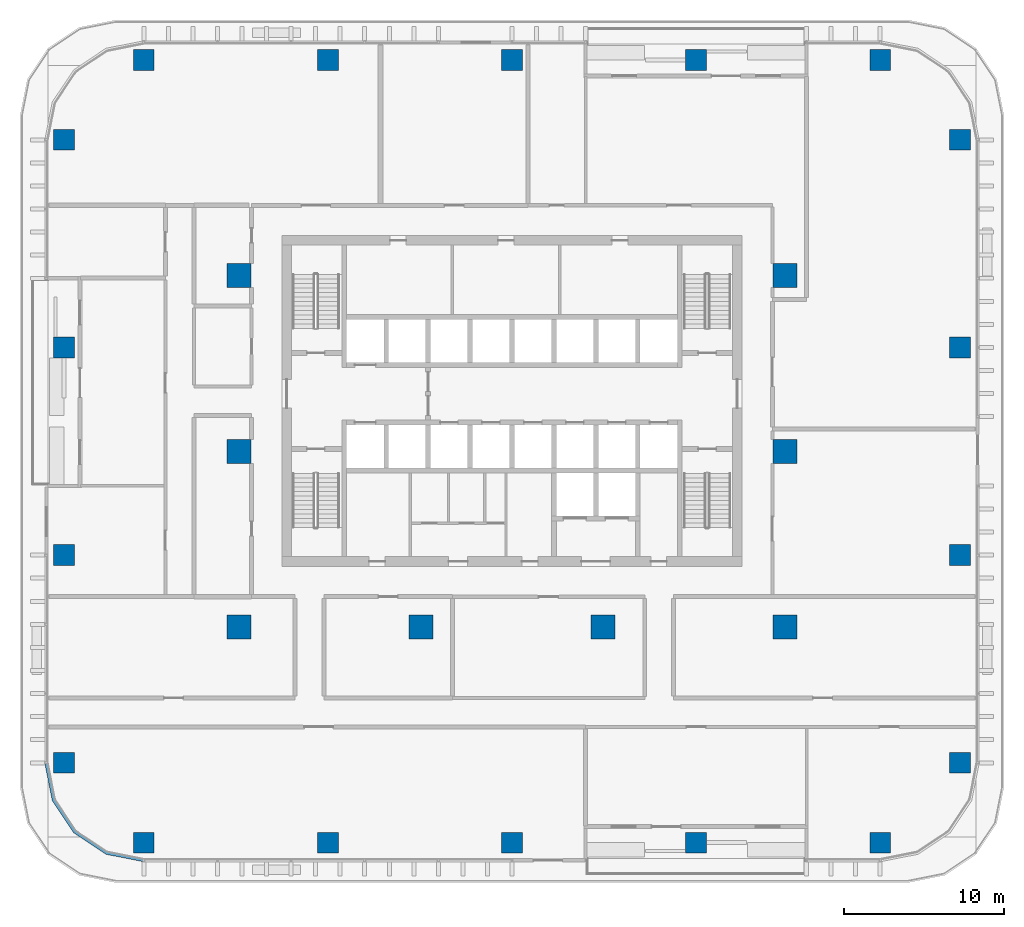
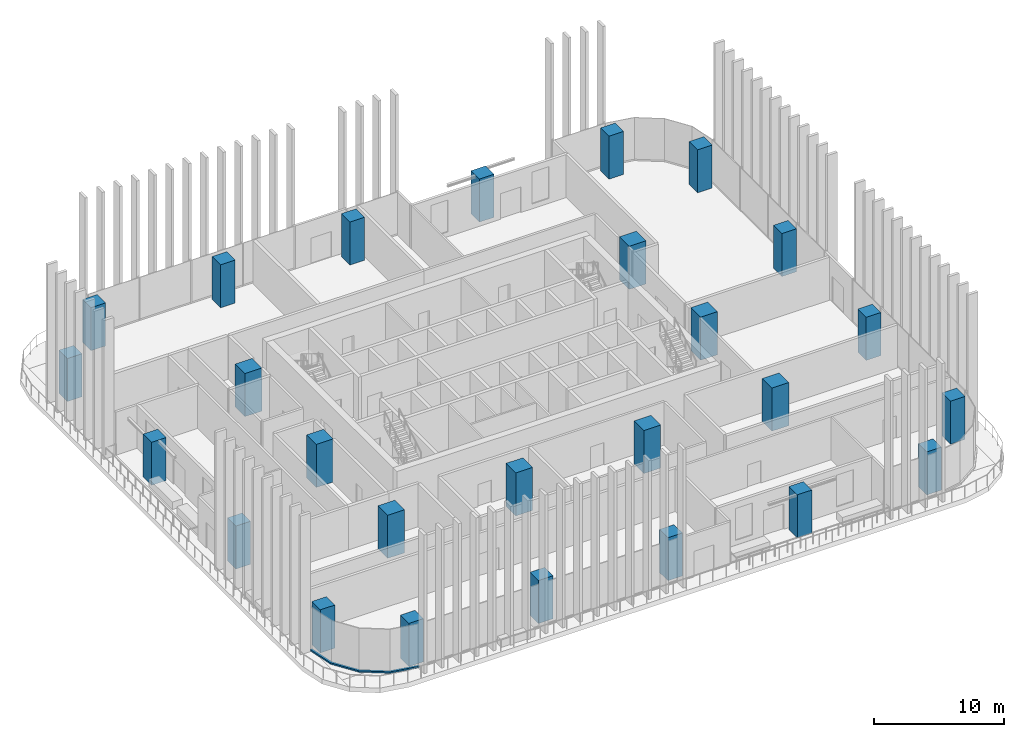
# One storey, part 1 of 18: 26 columns, 1 member, 1 element without a shape of its own.
"""IFC4 building model written with IfcOpenShell, lengths in metres."""

from ifc_helpers import new_model, si_unit, direction, frame, origin, origin_2d, place, context, subcontext, project, spatial, polyline, rectangle, outline, extrude, material, material_profile, profile_set, type_object, element, aggregate, save


model = new_model("IFC4")

# Units and contexts
model_context = context("Model", 3, precision=1e-05, world=origin(), true_north=direction((0.0, 1.0)))
body_context = subcontext(model_context, "Body", "Model", "MODEL_VIEW")
ifc_project = project(units=[si_unit("LENGTHUNIT", "METRE"), si_unit("AREAUNIT", "SQUARE_METRE"), si_unit("VOLUMEUNIT", "CUBIC_METRE"), si_unit("PLANEANGLEUNIT", "RADIAN"), si_unit("MASSUNIT", "GRAM", prefix="KILO")], contexts=[model_context])

# Site, building, storey
site_placement = place(None, origin())
site = spatial("IfcSite", under=ifc_project, at=site_placement, CompositionType="ELEMENT")
building_placement = place(site_placement, origin())
building = spatial("IfcBuilding", under=site, at=building_placement, Name="Mopane Tessera Tower", CompositionType="ELEMENT")
storey_placement = place(building_placement, frame((0.0, 0.0, 94.60009765625)))
storey = spatial("IfcBuildingStorey", under=building, at=storey_placement, Name="L18", CompositionType="ELEMENT", Elevation=94.60009765625)

# Columns
ifc_material_1 = material(Name="Concrete C60/75", Category="concrete")
ifc_material_profile_1 = material_profile(ifc_material_1, rectangle(XDim=1.5, YDim=1.5, at=origin_2d()))
ifc_profile_set_1 = profile_set([ifc_material_profile_1], Name="Concrete C60/75")
column_type_1 = type_object("IfcColumnType", Name="Interior column 1500 x 1500 C60/75", PredefinedType="COLUMN", material=ifc_profile_set_1)
for number, where, z_axis, x_axis, name in (
    (1, (-17.10009765625, -11.0, 0.0), (0.0, 0.0, 1.0), (1.0, 0.0, 0.0), "Interior column I1A L18"),
    (2, (-17.10009765625, 0.0, 0.0), (0.0, 0.0, 1.0), (1.0, 0.0, 0.0), "Interior column I1B L18"),
    (3, (-17.10009765625, 11.0, 0.0), (0.0, 0.0, 1.0), (1.0, 0.0, 0.0), "Interior column I1C L18"),
    (4, (-5.699951171875, -11.0, 0.0), (0.0, 0.0, 1.0), (1.0, 0.0, 0.0), "Interior column I2A L18"),
    (5, (5.699951171875, -11.0, 0.0), (0.0, 0.0, 1.0), (1.0, 0.0, 0.0), "Interior column I3A L18"),
    (6, (17.10009765625, -11.0, 0.0), (0.0, 0.0, 1.0), (1.0, 0.0, 0.0), "Interior column I4A L18"),
    (7, (17.10009765625, 0.0, 0.0), (0.0, 0.0, 1.0), (1.0, 0.0, 0.0), "Interior column I4B L18"),
    (8, (17.10009765625, 11.0, 0.0), (0.0, 0.0, 1.0), (1.0, 0.0, 0.0), "Interior column I4C L18"),
):
    element("IfcColumn", number, at=place(storey_placement, frame(where, z_axis=z_axis, x_axis=x_axis)), inside=storey, type_object=column_type_1, Name=name, PredefinedType="COLUMN", context=body_context, shape_type="SweptSolid", body=[
        extrude(rectangle(XDim=1.5, YDim=1.5, at=origin_2d()), origin(), (0.0, 0.0, 1.0), 4.0498046875),
    ])
ifc_material_2 = material(Name="Concrete C60/75", Category="concrete")
ifc_material_profile_2 = material_profile(ifc_material_2, rectangle(XDim=1.300048828125, YDim=1.300048828125, at=origin_2d()))
ifc_profile_set_2 = profile_set([ifc_material_profile_2], Name="Concrete C60/75")
column_type_2 = type_object("IfcColumnType", Name="Ring column 1300 x 1300 C60/75", PredefinedType="COLUMN", material=ifc_profile_set_2)
for number, where, z_axis, x_axis, name in (
    (9, (-23.050048828125, -24.5, 0.0), (0.0, 0.0, 1.0), (1.0, 0.0, 0.0), "Ring column S0 L18"),
    (10, (-11.52490234375, -24.5, 0.0), (0.0, 0.0, 1.0), (1.0, 0.0, 0.0), "Ring column S1 L18"),
    (11, (0.0, -24.5, 0.0), (0.0, 0.0, 1.0), (1.0, 0.0, 0.0), "Ring column S2 L18"),
    (12, (11.52490234375, -24.5, 0.0), (0.0, 0.0, 1.0), (1.0, 0.0, 0.0), "Ring column S3 L18"),
    (13, (23.050048828125, -24.5, 0.0), (0.0, 0.0, 1.0), (1.0, 0.0, 0.0), "Ring column S4 L18"),
    (14, (28.050048828125, -19.5, 0.0), (0.0, 0.0, 1.0), (1.0, 0.0, 0.0), "Ring column E0 L18"),
    (15, (28.050048828125, -6.5, 0.0), (0.0, 0.0, 1.0), (1.0, 0.0, 0.0), "Ring column E1 L18"),
    (16, (28.050048828125, 6.5, 0.0), (0.0, 0.0, 1.0), (1.0, 0.0, 0.0), "Ring column E2 L18"),
    (17, (28.050048828125, 19.5, 0.0), (0.0, 0.0, 1.0), (1.0, 0.0, 0.0), "Ring column E3 L18"),
    (18, (23.050048828125, 24.5, 0.0), (0.0, 0.0, 1.0), (1.0, 0.0, 0.0), "Ring column N0 L18"),
    (19, (11.52490234375, 24.5, 0.0), (0.0, 0.0, 1.0), (1.0, 0.0, 0.0), "Ring column N1 L18"),
    (20, (0.0, 24.5, 0.0), (0.0, 0.0, 1.0), (1.0, 0.0, 0.0), "Ring column N2 L18"),
    (21, (-11.52490234375, 24.5, 0.0), (0.0, 0.0, 1.0), (1.0, 0.0, 0.0), "Ring column N3 L18"),
    (22, (-23.050048828125, 24.5, 0.0), (0.0, 0.0, 1.0), (1.0, 0.0, 0.0), "Ring column N4 L18"),
    (23, (-28.050048828125, 19.5, 0.0), (0.0, 0.0, 1.0), (1.0, 0.0, 0.0), "Ring column W0 L18"),
    (24, (-28.050048828125, 6.5, 0.0), (0.0, 0.0, 1.0), (1.0, 0.0, 0.0), "Ring column W1 L18"),
    (25, (-28.050048828125, -6.5, 0.0), (0.0, 0.0, 1.0), (1.0, 0.0, 0.0), "Ring column W2 L18"),
    (26, (-28.050048828125, -19.5, 0.0), (0.0, 0.0, 1.0), (1.0, 0.0, 0.0), "Ring column W3 L18"),
):
    element("IfcColumn", number, at=place(storey_placement, frame(where, z_axis=z_axis, x_axis=x_axis)), inside=storey, type_object=column_type_2, Name=name, PredefinedType="COLUMN", context=body_context, shape_type="SweptSolid", body=[
        extrude(rectangle(XDim=1.300048828125, YDim=1.300048828125, at=origin_2d()), origin(), (0.0, 0.0, 1.0), 4.0498046875),
    ])

# Curtain wall, member
ifc_material_3 = material(Name="Aluminium frame", Category="aluminium")
curtain_wall_type = type_object("IfcCurtainWallType", Name="Lower tower unitised wall", PredefinedType="NOTDEFINED", material=ifc_material_3)
curtain_wall_placement = place(storey_placement, origin())
curtain_wall = element("IfcCurtainWall", 27, at=curtain_wall_placement, inside=storey, type_object=curtain_wall_type, Name="e:cw:L18:CW", PredefinedType="NOTDEFINED")
ifc_material_4 = material(Name="Aluminium frame", Category="aluminium")
ifc_material_profile_3 = material_profile(ifc_material_4, rectangle(XDim=0.199951171875, YDim=0.139892578125, at=origin_2d()))
ifc_profile_set_3 = profile_set([ifc_material_profile_3], Name="Aluminium frame")
member_type = type_object("IfcMemberType", Name="Aluminium transom 200 x 140", PredefinedType="USERDEFINED", material=ifc_profile_set_3)
member_placement = place(storey_placement, origin())
member = element("IfcMember", 28, at=member_placement, type_object=member_type, Name="e:cw:L18:CW:tr", ObjectType="TRANSOM", PredefinedType="USERDEFINED", context=body_context, shape_type="SweptSolid", body=[
    extrude(outline(polyline([(-29.050048828125, -19.5), (-28.59326171875, -21.796142578125), (-27.292724609375, -23.74267578125), (-25.34619140625, -25.043212890625), (-23.050048828125, -25.5), (-23.050048828125, -25.699951171875), (-25.422607421875, -25.22802734375), (-27.43408203125, -23.884033203125), (-28.778076171875, -21.87255859375), (-29.25, -19.5), (-29.050048828125, -19.5)])), origin(), (0.0, 0.0, 1.0), 0.139892578125),
])
aggregate(curtain_wall, [member])

save(model, "model.ifc")
